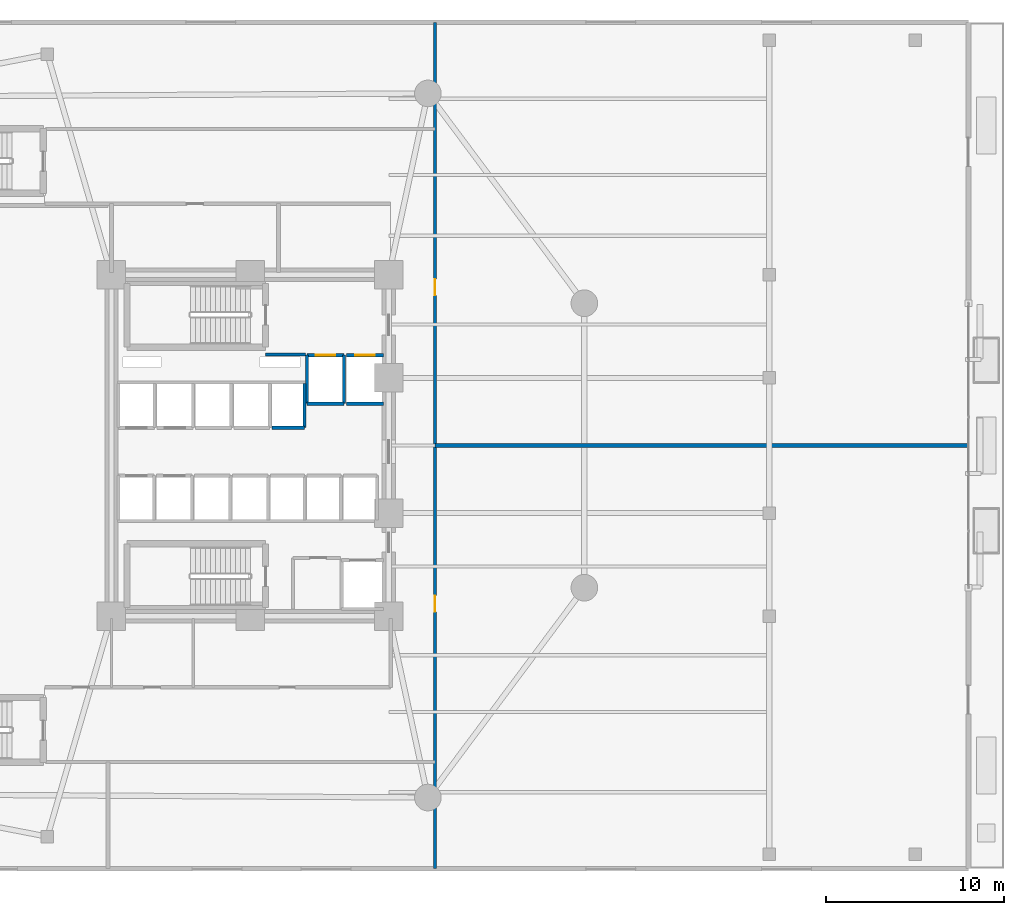
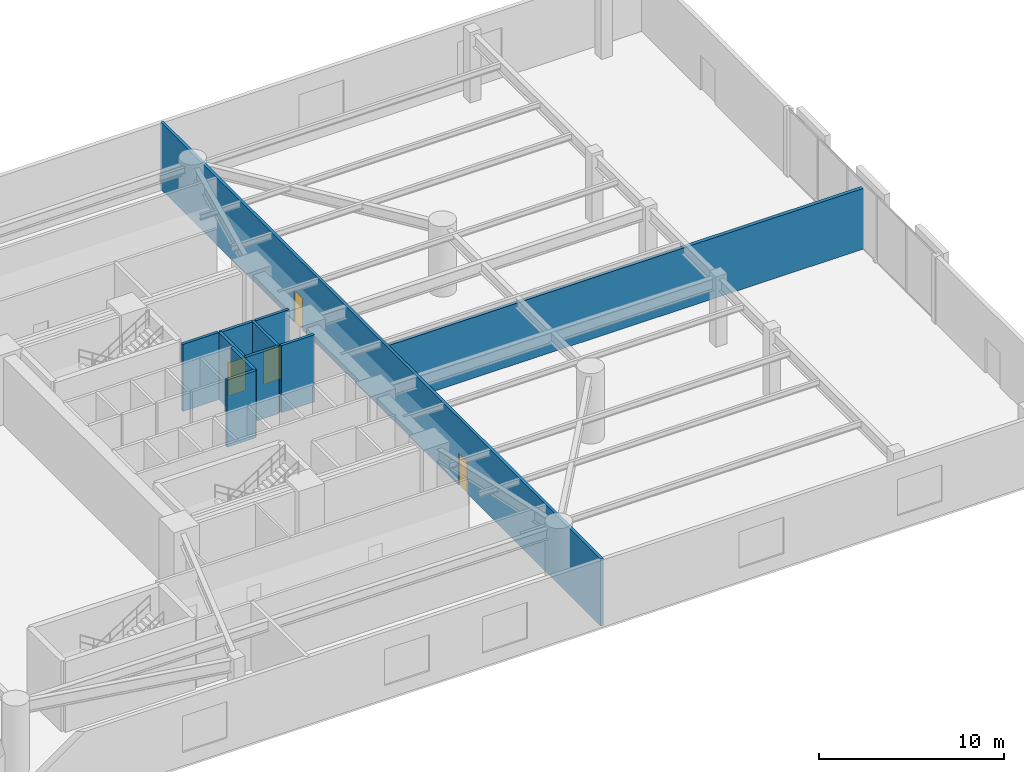
# One storey, part 11 of 16: 11 walls, 4 doors, 4 openings.
"""IFC4 building model written with IfcOpenShell, lengths in metres."""

from ifc_helpers import new_model, si_unit, direction, frame, frame_2d, origin, place, context, subcontext, project, spatial, rectangle, extrude, material, layer, layer_set, type_object, element, fill, save


model = new_model("IFC4")

# Units and contexts
model_context = context("Model", 3, precision=1e-05, world=origin(), true_north=direction((0.0, 1.0)))
body_context = subcontext(model_context, "Body", "Model", "MODEL_VIEW")
ifc_project = project(units=[si_unit("LENGTHUNIT", "METRE"), si_unit("AREAUNIT", "SQUARE_METRE"), si_unit("VOLUMEUNIT", "CUBIC_METRE"), si_unit("PLANEANGLEUNIT", "RADIAN"), si_unit("MASSUNIT", "GRAM", prefix="KILO")], contexts=[model_context])

# Site, building, storey
site_placement = place(None, origin())
site = spatial("IfcSite", under=ifc_project, at=site_placement, CompositionType="ELEMENT")
building_placement = place(site_placement, origin())
building = spatial("IfcBuilding", under=site, at=building_placement, Name="An Khanh Terracotta Commons", CompositionType="ELEMENT")
storey_placement = place(building_placement, frame((0.0, 0.0, 10.050048828125)))
storey = spatial("IfcBuildingStorey", under=building, at=storey_placement, Name="L03", CompositionType="ELEMENT", Elevation=10.050048828125)

# Wall
ifc_material_1 = material(Name="Fire-Rated Gypsum Board on Steel Stud", Category="steel")
ifc_layer_1 = layer(ifc_material_1, 0.179931640625, Name="Fire-Rated Gypsum Board on Steel Stud")
ifc_layer_set_1 = layer_set([ifc_layer_1], Name="Fire-Rated Gypsum Board on Steel Stud")
wall_type_1 = type_object("IfcWallType", Name="WALL-CORR-180", PredefinedType="PARTITIONING", material=ifc_layer_set_1)
wall_1_placement = place(storey_placement, frame((30.27001953125, 29.1201171875, 0.0), z_axis=(0.0, 0.0, 1.0), x_axis=(1.0, 0.0, 0.0)))
element("IfcWall", 1, at=wall_1_placement, inside=storey, type_object=wall_type_1, Name="L03 Core Wall FFLW-L03-S", PredefinedType="PARTITIONING", context=body_context, shape_type="SweptSolid", body=[
    extrude(rectangle(XDim=2.239990234375, YDim=0.179931640625, at=frame_2d((1.1201171875, 0.0))), origin(), (0.0, 0.0, 1.0), 4.429931640625),
])

# Wall, opening, door
wall_2_placement = place(storey_placement, frame((32.60009765625, 29.080078125, 0.0), z_axis=(0.0, 0.0, 1.0), x_axis=(1.0, 0.0, 0.0)))
wall_2 = element("IfcWall", 2, at=wall_2_placement, inside=storey, type_object=wall_type_1, Name="L03 Core Wall LSH-L03-FFL-01-N", PredefinedType="PARTITIONING", context=body_context, shape_type="SweptSolid", body=[
    extrude(rectangle(XDim=2.079833984375, YDim=0.179931640625, at=frame_2d((1.0400390625, 0.0))), origin(), (0.0, 0.0, 1.0), 4.429931640625),
])
opening_1_placement = place(wall_2_placement, frame((0.489990234375, 0.0, 0.0)))
opening_1 = element("IfcOpeningElement", 3, at=opening_1_placement, cuts=wall_2, Name="Opening LD-FFL-01-L03", PredefinedType="OPENING", context=body_context, shape_type="SweptSolid", body=[
    extrude(rectangle(XDim=1.10009765625, YDim=2.199951171875, at=frame_2d((0.550048828125, 1.10009765625))), frame((0.0, 0.099853515625, 0.0), z_axis=(0.0, -1.0, 0.0), x_axis=(1.0, 0.0, 0.0)), (0.0, 0.0, 1.0), 0.199951171875),
])
ifc_material_2 = material(Name="Brushed Stainless Steel Fire Landing Door", Category="steel")
door_type_1 = type_object("IfcDoorType", Name="DOOR-LD-FFL-1100", OperationType="NOTDEFINED", PredefinedType="DOOR", material=ifc_material_2)
door_1_placement = place(opening_1_placement, origin())
door_1 = element("IfcDoor", 4, at=door_1_placement, inside=storey, type_object=door_type_1, Name="L03 Lift FFL-01 Sliding Landing Door", OperationType="DOUBLE_DOOR_SLIDING", OverallHeight=2.199951171875, OverallWidth=1.10009765625, PredefinedType="DOOR", context=body_context, shape_type="SweptSolid", body=[
    extrude(rectangle(XDim=1.10009765625, YDim=2.199951171875, at=frame_2d((0.550048828125, 1.10009765625))), frame((0.0, 0.02490234375, 0.0), z_axis=(0.0, -1.0, 0.0), x_axis=(1.0, 0.0, 0.0)), (0.0, 0.0, 1.0), 0.050048828125),
])
fill(opening_1, door_1)

# Walls
wall_3_placement = place(storey_placement, frame((34.679931640625, 26.35009765625, 0.0), z_axis=(0.0, 0.0, 1.0), x_axis=(-1.0, 0.0, 0.0)))
element("IfcWall", 5, at=wall_3_placement, inside=storey, type_object=wall_type_1, Name="L03 Core Wall LSH-L03-FFL-01-S", PredefinedType="PARTITIONING", context=body_context, shape_type="SweptSolid", body=[
    extrude(rectangle(XDim=2.079833984375, YDim=0.179931640625, at=frame_2d((1.0400390625, 0.0))), origin(), (0.0, 0.0, 1.0), 4.429931640625),
])
for number, where, z_axis, x_axis, name in (
    (6, (34.679931640625, 26.35009765625, 0.0), (0.0, 0.0, 1.0), (0.0, 1.0, 0.0), "L03 Core Wall LSH-L03-FFL-01-E"),
    (7, (32.60009765625, 29.080078125, 0.0), (0.0, 0.0, 1.0), (0.0, -1.0, 0.0), "L03 Core Wall LSH-L03-FFL-01-W"),
):
    element("IfcWall", number, at=place(storey_placement, frame(where, z_axis=z_axis, x_axis=x_axis)), inside=storey, type_object=wall_type_1, Name=name, PredefinedType="PARTITIONING", context=body_context, shape_type="SweptSolid", body=[
        extrude(rectangle(XDim=2.72998046875, YDim=0.179931640625, at=frame_2d((1.364990234375, 0.0))), origin(), (0.0, 0.0, 1.0), 4.429931640625),
    ])

# Wall, opening, door
wall_4_placement = place(storey_placement, frame((34.820068359375, 29.080078125, 0.0), z_axis=(0.0, 0.0, 1.0), x_axis=(1.0, 0.0, 0.0)))
wall_4 = element("IfcWall", 8, at=wall_4_placement, inside=storey, type_object=wall_type_1, Name="L03 Core Wall LSH-L03-FFL-02-N", PredefinedType="PARTITIONING", context=body_context, shape_type="SweptSolid", body=[
    extrude(rectangle(XDim=2.079833984375, YDim=0.179931640625, at=frame_2d((1.0400390625, 0.0))), origin(), (0.0, 0.0, 1.0), 4.429931640625),
])
opening_2_placement = place(wall_4_placement, frame((0.489990234375, 0.0, 0.0)))
opening_2 = element("IfcOpeningElement", 9, at=opening_2_placement, cuts=wall_4, Name="Opening LD-FFL-02-L03", PredefinedType="OPENING", context=body_context, shape_type="SweptSolid", body=[
    extrude(rectangle(XDim=1.10009765625, YDim=2.199951171875, at=frame_2d((0.550048828125, 1.10009765625))), frame((0.0, 0.099853515625, 0.0), z_axis=(0.0, -1.0, 0.0), x_axis=(1.0, 0.0, 0.0)), (0.0, 0.0, 1.0), 0.199951171875),
])
door_2_placement = place(opening_2_placement, origin())
door_2 = element("IfcDoor", 10, at=door_2_placement, inside=storey, type_object=door_type_1, Name="L03 Lift FFL-02 Sliding Landing Door", OperationType="DOUBLE_DOOR_SLIDING", OverallHeight=2.199951171875, OverallWidth=1.10009765625, PredefinedType="DOOR", context=body_context, shape_type="SweptSolid", body=[
    extrude(rectangle(XDim=1.10009765625, YDim=2.199951171875, at=frame_2d((0.550048828125, 1.10009765625))), frame((0.0, 0.02490234375, 0.0), z_axis=(0.0, -1.0, 0.0), x_axis=(1.0, 0.0, 0.0)), (0.0, 0.0, 1.0), 0.050048828125),
])
fill(opening_2, door_2)

# Walls
wall_5_placement = place(storey_placement, frame((36.89990234375, 26.35009765625, 0.0), z_axis=(0.0, 0.0, 1.0), x_axis=(-1.0, 0.0, 0.0)))
element("IfcWall", 11, at=wall_5_placement, inside=storey, type_object=wall_type_1, Name="L03 Core Wall LSH-L03-FFL-02-S", PredefinedType="PARTITIONING", context=body_context, shape_type="SweptSolid", body=[
    extrude(rectangle(XDim=2.079833984375, YDim=0.179931640625, at=frame_2d((1.0400390625, 0.0))), origin(), (0.0, 0.0, 1.0), 4.429931640625),
])
wall_6_placement = place(storey_placement, frame((32.4599609375, 25.0, 0.0), z_axis=(0.0, 0.0, 1.0), x_axis=(-1.0, 0.0, 0.0)))
element("IfcWall", 12, at=wall_6_placement, inside=storey, type_object=wall_type_1, Name="L03 Core Wall LSH-L03-PL-H1-S", PredefinedType="PARTITIONING", context=body_context, shape_type="SweptSolid", body=[
    extrude(rectangle(XDim=1.820068359375, YDim=0.179931640625, at=frame_2d((0.91015625, 0.0))), origin(), (0.0, 0.0, 1.0), 4.429931640625),
])
wall_7_placement = place(storey_placement, frame((32.4599609375, 25.0, 0.0), z_axis=(0.0, 0.0, 1.0), x_axis=(0.0, 1.0, 0.0)))
element("IfcWall", 13, at=wall_7_placement, inside=storey, type_object=wall_type_1, Name="L03 Core Wall LSH-L03-PL-H1-E", PredefinedType="PARTITIONING", context=body_context, shape_type="SweptSolid", body=[
    extrude(rectangle(XDim=2.5, YDim=0.179931640625, at=frame_2d((1.25, 0.0))), origin(), (0.0, 0.0, 1.0), 4.429931640625),
])

# Wall, openings, doors
wall_8_placement = place(storey_placement, frame((39.800048828125, 0.199951171875, 0.0), z_axis=(0.0, 0.0, 1.0), x_axis=(0.0, 1.0, 0.0)))
wall_8 = element("IfcWall", 14, at=wall_8_placement, inside=storey, type_object=wall_type_1, Name="L03 Interior Partition IW-L03-E013", PredefinedType="PARTITIONING", context=body_context, shape_type="SweptSolid", body=[
    extrude(rectangle(XDim=47.60009765625, YDim=0.179931640625, at=frame_2d((23.800048828125, 0.0))), origin(), (0.0, 0.0, 1.0), 4.429931640625),
])
opening_3_placement = place(wall_8_placement, frame((14.43994140625, 0.0, 0.0)))
opening_3 = element("IfcOpeningElement", 15, at=opening_3_placement, cuts=wall_8, Name="Opening D-RM", PredefinedType="OPENING", context=body_context, shape_type="SweptSolid", body=[
    extrude(rectangle(XDim=0.919921875, YDim=2.10009765625, at=frame_2d((0.4599609375, 1.050048828125))), frame((0.0, 0.099853515625, 0.0), z_axis=(0.0, -1.0, 0.0), x_axis=(1.0, 0.0, 0.0)), (0.0, 0.0, 1.0), 0.199951171875),
])
opening_4_placement = place(wall_8_placement, frame((32.239990234375, 0.0, 0.0)))
opening_4 = element("IfcOpeningElement", 16, at=opening_4_placement, cuts=wall_8, Name="Opening D-RM", PredefinedType="OPENING", context=body_context, shape_type="SweptSolid", body=[
    extrude(rectangle(XDim=0.919921875, YDim=2.10009765625, at=frame_2d((0.4599609375, 1.050048828125))), frame((0.0, 0.099853515625, 0.0), z_axis=(0.0, -1.0, 0.0), x_axis=(1.0, 0.0, 0.0)), (0.0, 0.0, 1.0), 0.199951171875),
])
ifc_material_3 = material(Name="Engineered Hardwood Timber Leaf", Category="wood")
door_type_2 = type_object("IfcDoorType", Name="DOOR-INT-920", OperationType="NOTDEFINED", PredefinedType="DOOR", material=ifc_material_3)
door_3_placement = place(opening_3_placement, origin())
door_3 = element("IfcDoor", 17, at=door_3_placement, inside=storey, type_object=door_type_2, Name="L03 TUT Group Tutorial Seminar Room Door", OperationType="SINGLE_SWING_LEFT", OverallHeight=2.10009765625, OverallWidth=0.919921875, PredefinedType="DOOR", context=body_context, shape_type="SweptSolid", body=[
    extrude(rectangle(XDim=0.919921875, YDim=2.10009765625, at=frame_2d((0.4599609375, 1.050048828125))), frame((0.0, 0.02490234375, 0.0), z_axis=(0.0, -1.0, 0.0), x_axis=(1.0, 0.0, 0.0)), (0.0, 0.0, 1.0), 0.050048828125),
])
fill(opening_3, door_3)
door_4_placement = place(opening_4_placement, origin())
door_4 = element("IfcDoor", 18, at=door_4_placement, inside=storey, type_object=door_type_2, Name="L03 QST Terrace Quiet Study Lounge Door", OperationType="SINGLE_SWING_RIGHT", OverallHeight=2.10009765625, OverallWidth=0.919921875, PredefinedType="DOOR", context=body_context, shape_type="SweptSolid", body=[
    extrude(rectangle(XDim=0.919921875, YDim=2.10009765625, at=frame_2d((0.4599609375, 1.050048828125))), frame((0.0, 0.02490234375, 0.0), z_axis=(0.0, -1.0, 0.0), x_axis=(1.0, 0.0, 0.0)), (0.0, 0.0, 1.0), 0.050048828125),
])
fill(opening_4, door_4)

# Wall
ifc_material_4 = material(Name="Acoustic Double-Stud Gypsum and Mineral Wool")
ifc_layer_2 = layer(ifc_material_4, 0.219970703125, Name="Acoustic Double-Stud Gypsum and Mineral Wool")
ifc_layer_set_2 = layer_set([ifc_layer_2], Name="Acoustic Double-Stud Gypsum and Mineral Wool")
wall_type_2 = type_object("IfcWallType", Name="WALL-PARTY-220", PredefinedType="PARTITIONING", material=ifc_layer_set_2)
wall_9_placement = place(storey_placement, frame((39.800048828125, 24.0, 0.0), z_axis=(0.0, 0.0, 1.0), x_axis=(1.0, 0.0, 0.0)))
element("IfcWall", 19, at=wall_9_placement, inside=storey, type_object=wall_type_2, Name="L03 Interior Partition IW-L03-E003", PredefinedType="PARTITIONING", context=body_context, shape_type="SweptSolid", body=[
    extrude(rectangle(XDim=30.0, YDim=0.219970703125, at=frame_2d((15.0, 0.0))), origin(), (0.0, 0.0, 1.0), 4.011962890625),
])

save(model, "model.ifc")
